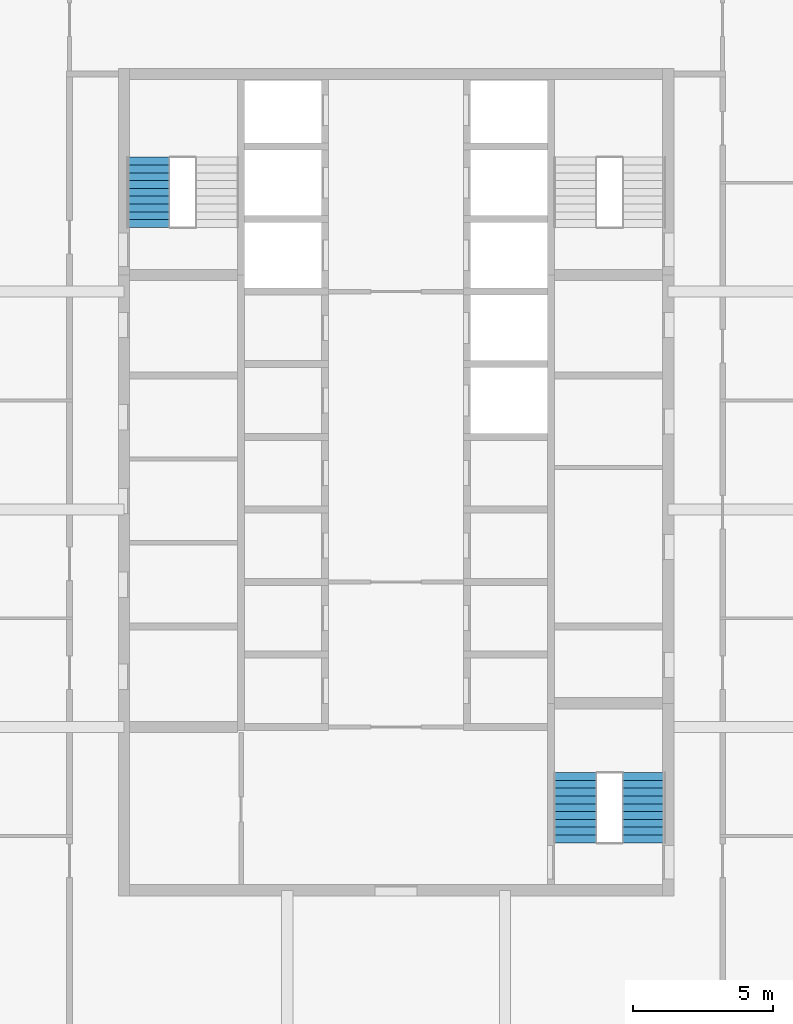
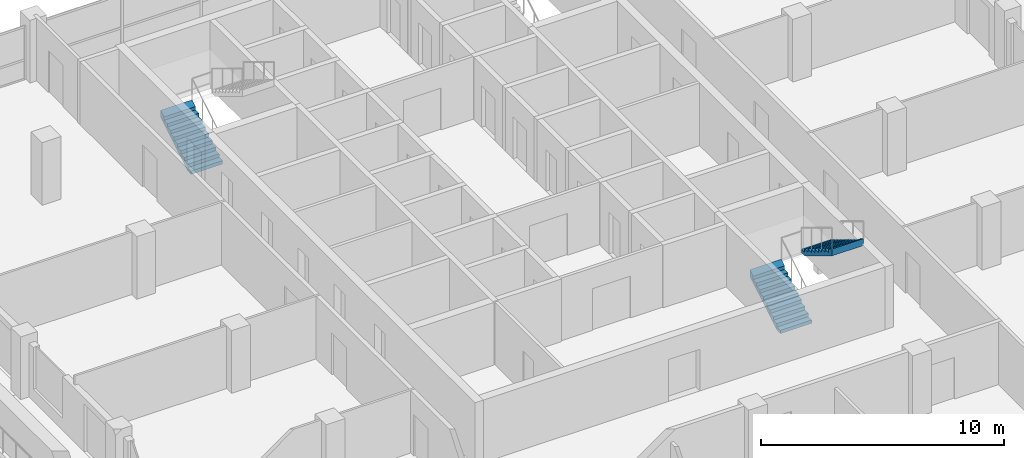
# One storey, part 17 of 22: 3 stair flights, 2 elements without a shape of their own.
"""IFC4 building model written with IfcOpenShell, lengths in metres."""

import ifcopenshell
import ifcopenshell.guid

model = None  # the IFC model being written
_history = None  # IfcOwnerHistory: only IFC2X3 demands one
_inside = {}  # id of a spatial element -> (the spatial element, [elements in it])
_under = {}  # id of a project, library or spatial element -> (it, [spatial elements below it])
_declared = {}  # id of a project -> (the project, [libraries it declares])
_typed = {}  # id of a type object -> (the type object, [elements of that type])
_made_of = {}  # id of a material, layer set ... -> (it, [elements and type objects made of it])


def new_model(schema):
    """Start an empty IFC model of exactly this schema.

    Asked for "IFC4X3", IfcOpenShell would pick the latest addendum, in which some entities
    have other attributes; the version numbers below select the first issue.
    IFC2X3 requires an IfcOwnerHistory on every rooted entity: one is made here for all.
    """
    global model, _history
    if schema == "IFC4X3":
        model = ifcopenshell.file(schema_version=(4, 3, 0, 0))
    else:
        model = ifcopenshell.file(schema=schema)
    _inside.clear()
    _under.clear()
    _declared.clear()
    _typed.clear()
    _made_of.clear()
    _history = None
    if model.schema == "IFC2X3":
        org = make("IfcOrganization", Name="unknown")
        user = make(
            "IfcPersonAndOrganization",
            ThePerson=make("IfcPerson", FamilyName="unknown"),
            TheOrganization=org,
        )
        app = make(
            "IfcApplication",
            ApplicationDeveloper=org,
            Version="unknown",
            ApplicationFullName="unknown",
            ApplicationIdentifier="unknown",
        )
        _history = make(
            "IfcOwnerHistory",
            OwningUser=user,
            OwningApplication=app,
            ChangeAction="ADDED",
            CreationDate=0,
        )
    return model


def make(cls, **values):
    """One entity of the class cls with the attributes given. An attribute that is None is left unset."""
    return model.create_entity(
        cls, **{name: value for name, value in values.items() if value is not None}
    )


def rooted(cls, **values):
    """An entity with a GlobalId (a new one), such as an element, a storey or a relation."""
    return make(cls, GlobalId=ifcopenshell.guid.new(), OwnerHistory=_history, **values)


def si_unit(unit_type, name, prefix=None):
    """IfcSIUnit, for example si_unit("LENGTHUNIT", "METRE", prefix="MILLI")."""
    return make("IfcSIUnit", UnitType=unit_type, Prefix=prefix, Name=name)


def assignment(units):
    """IfcUnitAssignment: the units of a project."""
    return None if units is None else make("IfcUnitAssignment", Units=units)


def point(xyz):
    """IfcCartesianPoint."""
    return None if xyz is None else make("IfcCartesianPoint", Coordinates=xyz)


def direction(xyz):
    """IfcDirection."""
    return None if xyz is None else make("IfcDirection", DirectionRatios=xyz)


def frame(location, z_axis=None, x_axis=None):
    """IfcAxis2Placement3D, a coordinate frame: its origin and axes. An axis left out is left unset."""
    return make(
        "IfcAxis2Placement3D",
        Location=point(location),
        Axis=direction(z_axis),
        RefDirection=direction(x_axis),
    )


def origin():
    """The frame at (0, 0, 0) with its axes left unset."""
    return frame((0.0, 0.0, 0.0))


def place(relative_to, where):
    """IfcLocalPlacement: puts the frame where relative to a parent placement (None: the world)."""
    return make(
        "IfcLocalPlacement", PlacementRelTo=relative_to, RelativePlacement=where
    )


def context(
    kind, dimensions, precision=None, world=None, true_north=None, identifier=None
):
    """IfcGeometricRepresentationContext, for example the 3D "Model" context."""
    return make(
        "IfcGeometricRepresentationContext",
        ContextIdentifier=identifier,
        ContextType=kind,
        CoordinateSpaceDimension=dimensions,
        Precision=precision,
        WorldCoordinateSystem=world,
        TrueNorth=true_north,
    )


def subcontext(parent, identifier, kind, view, scale=None):
    """IfcGeometricRepresentationSubContext, for example "Body" below "Model"."""
    return make(
        "IfcGeometricRepresentationSubContext",
        ContextIdentifier=identifier,
        ContextType=kind,
        ParentContext=parent,
        TargetScale=scale,
        TargetView=view,
    )


def project(units=None, contexts=None):
    """IfcProject with its units and contexts."""
    return rooted(
        "IfcProject",
        Name="project",
        RepresentationContexts=contexts,
        UnitsInContext=assignment(units),
    )


def spatial(cls, under=None, at=None, **own):
    """A site, building, storey or space (cls), placed at a placement, below another one or the project."""
    s = rooted(cls, ObjectPlacement=at, **own)
    if under is not None:
        _under.setdefault(under.id(), (under, []))[1].append(s)
    return s


def point_list(points):
    """IfcCartesianPointList2D or 3D."""
    cls = (
        "IfcCartesianPointList2D" if len(points[0]) == 2 else "IfcCartesianPointList3D"
    )
    return make(cls, CoordList=points)


def triangles(points, corners, closed=None, point_numbers=None):
    """IfcTriangulatedFaceSet: each triangle names its three corners, points numbered from 1."""
    return make(
        "IfcTriangulatedFaceSet",
        Coordinates=point_list(points),
        Closed=closed,
        CoordIndex=corners,
        PnIndex=point_numbers,
    )


def shape(context_of_items, identifier, shape_type, items):
    """IfcShapeRepresentation: the items that make up one representation, for example the "Body"."""
    return make(
        "IfcShapeRepresentation",
        ContextOfItems=context_of_items,
        RepresentationIdentifier=identifier,
        RepresentationType=shape_type,
        Items=items,
    )


def material(Name=None, Category=None):
    """IfcMaterial."""
    return make("IfcMaterial", Name=Name, Category=Category)


def made_of(thing, what):
    """Note that an element or type object is made of a material, layer set ...; save() writes the relation."""
    if what is not None:
        _made_of.setdefault(what.id(), (what, []))[1].append(thing)
    return thing


def type_object(cls, material=None, **own):
    """A type object (cls), such as IfcWallType, which elements share."""
    return made_of(rooted(cls, **own), material)


def element(
    cls,
    number,
    at=None,
    inside=None,
    cuts=None,
    type_object=None,
    material=None,
    context=None,
    identifier="Body",
    shape_type=None,
    held_by="IfcProductDefinitionShape",
    body=None,
    shapes=None,
    **own,
):
    """One element of the class cls, such as IfcWall. Its Tag is "e" and its number.

    at: its placement. inside: the storey or other place that contains it. cuts: it is an
    opening in that element (IfcRelVoidsElement). A single representation is given by context,
    identifier, shape_type and body (its items); several are given by shapes. held_by: the class
    of the entity that holds the representations. save() writes the other relations.
    """
    e = rooted(cls, Tag="e%d" % number, ObjectPlacement=at, **own)
    if body is not None:
        shapes = [shape(context, identifier, shape_type, body)]
    if shapes is not None:
        e.Representation = make(held_by, Representations=shapes)
    if inside is not None:
        _inside.setdefault(inside.id(), (inside, []))[1].append(e)
    if cuts is not None:
        rooted(
            "IfcRelVoidsElement", RelatingBuildingElement=cuts, RelatedOpeningElement=e
        )
    if type_object is not None:
        _typed.setdefault(type_object.id(), (type_object, []))[1].append(e)
    return made_of(e, material)


def aggregate(whole, parts):
    """IfcRelAggregates: a whole, such as a stair, and the parts it consists of."""
    return rooted("IfcRelAggregates", RelatingObject=whole, RelatedObjects=parts)


def save(model, path):
    """Write the relations noted so far, then the file.

    IfcRelAggregates (storeys below a building ...), IfcRelContainedInSpatialStructure (elements
    in a storey), IfcRelDefinesByType, IfcRelAssociatesMaterial and IfcRelDeclares: one each for
    every whole, place, type object, material and project.
    """
    for whole, parts in _under.values():
        aggregate(whole, parts)
    for where, things in _inside.values():
        rooted(
            "IfcRelContainedInSpatialStructure",
            RelatedElements=things,
            RelatingStructure=where,
        )
    for kind, things in _typed.values():
        rooted("IfcRelDefinesByType", RelatedObjects=things, RelatingType=kind)
    for what, things in _made_of.values():
        rooted("IfcRelAssociatesMaterial", RelatedObjects=things, RelatingMaterial=what)
    for by, libraries in _declared.values():
        rooted("IfcRelDeclares", RelatingContext=by, RelatedDefinitions=libraries)
    model.write(path)


model = new_model("IFC4")

# Units and contexts
model_context = context("Model", 3, precision=1e-05, world=origin(), true_north=direction((0.0, 1.0)))
body_context = subcontext(model_context, "Body", "Model", "MODEL_VIEW")
ifc_project = project(units=[si_unit("LENGTHUNIT", "METRE"), si_unit("AREAUNIT", "SQUARE_METRE"), si_unit("VOLUMEUNIT", "CUBIC_METRE"), si_unit("PLANEANGLEUNIT", "RADIAN"), si_unit("MASSUNIT", "GRAM", prefix="KILO")], contexts=[model_context])

# Site, building, storey
site_placement = place(None, origin())
site = spatial("IfcSite", under=ifc_project, at=site_placement, CompositionType="ELEMENT")
building_placement = place(site_placement, origin())
building = spatial("IfcBuilding", under=site, at=building_placement, Name="Ludao Terraces", CompositionType="ELEMENT")
storey_placement = place(building_placement, frame((0.0, 0.0, 200.699951171875)))
storey = spatial("IfcBuildingStorey", under=building, at=storey_placement, Name="L54", CompositionType="ELEMENT", Elevation=200.699951171875)

# Stair, stair flight
ifc_material = material(Name="Concrete C40", Category="concrete")
stair_type = type_object("IfcStairType", Name="INT Stair", PredefinedType="HALF_TURN_STAIR", material=ifc_material)
stair_1_placement = place(storey_placement, origin())
stair_1 = element("IfcStair", 1, at=stair_1_placement, inside=storey, type_object=stair_type, Name="EXIT STAIR 1", PredefinedType="HALF_TURN_STAIR")
stair_flight_type = type_object("IfcStairFlightType", Name="INT Stair flight", PredefinedType="STRAIGHT", material=ifc_material)
stair_flight_1_placement = place(storey_placement, frame((76.125, 79.0, 0.0), z_axis=(0.0, 0.0, 1.0), x_axis=(0.0, 1.0, 0.0)))
stair_flight_1 = element("IfcStairFlight", 2, at=stair_flight_1_placement, type_object=stair_flight_type, Name="ST1 flight 1", NumberOfRisers=10, NumberOfTreads=9, PredefinedType="STRAIGHT", RiserHeight=0.17, TreadLength=0.28, context=body_context, shape_type="Tessellation", body=[
    triangles([(0.0, -0.75, 0.0), (0.0, -0.5, 0.0), (0.0, -0.25, 0.0), (0.0, 0.0, 0.0), (0.0, 0.25, 0.0), (0.0, 0.5, 0.0), (0.0, 0.75, 0.0), (0.0, -0.75, 0.169921875), (0.0, -0.5, 0.169921875), (0.0, -0.25, 0.169921875), (0.0, 0.0, 0.169921875), (0.0, 0.25, 0.169921875), (0.0, 0.5, 0.169921875), (0.0, 0.75, 0.169921875), (0.280029296875, -0.75, 0.169921875), (0.280029296875, -0.5, 0.169921875), (0.280029296875, -0.25, 0.169921875), (0.280029296875, 0.0, 0.169921875), (0.280029296875, 0.25, 0.169921875), (0.280029296875, 0.5, 0.169921875), (0.280029296875, 0.75, 0.169921875), (0.280029296875, -0.75, 0.340087890625), (0.280029296875, -0.5, 0.340087890625), (0.280029296875, -0.25, 0.340087890625), (0.280029296875, 0.0, 0.340087890625), (0.280029296875, 0.25, 0.340087890625), (0.280029296875, 0.5, 0.340087890625), (0.280029296875, 0.75, 0.340087890625), (0.56005859375, -0.75, 0.340087890625), (0.56005859375, -0.5, 0.340087890625), (0.56005859375, -0.25, 0.340087890625), (0.56005859375, 0.0, 0.340087890625), (0.56005859375, 0.25, 0.340087890625), (0.56005859375, 0.5, 0.340087890625), (0.56005859375, 0.75, 0.340087890625), (0.56005859375, -0.75, 0.510009765625), (0.56005859375, -0.5, 0.510009765625), (0.56005859375, -0.25, 0.510009765625), (0.56005859375, 0.0, 0.510009765625), (0.56005859375, 0.25, 0.510009765625), (0.56005859375, 0.5, 0.510009765625), (0.56005859375, 0.75, 0.510009765625), (0.840087890625, -0.75, 0.510009765625), (0.840087890625, -0.5, 0.510009765625), (0.840087890625, -0.25, 0.510009765625), (0.840087890625, 0.0, 0.510009765625), (0.840087890625, 0.25, 0.510009765625), (0.840087890625, 0.5, 0.510009765625), (0.840087890625, 0.75, 0.510009765625), (0.840087890625, -0.75, 0.679931640625), (0.840087890625, -0.5, 0.679931640625), (0.840087890625, -0.25, 0.679931640625), (0.840087890625, 0.0, 0.679931640625), (0.840087890625, 0.25, 0.679931640625), (0.840087890625, 0.5, 0.679931640625), (0.840087890625, 0.75, 0.679931640625), (1.1201171875, -0.75, 0.679931640625), (1.1201171875, -0.5, 0.679931640625), (1.1201171875, -0.25, 0.679931640625), (1.1201171875, 0.0, 0.679931640625), (1.1201171875, 0.25, 0.679931640625), (1.1201171875, 0.5, 0.679931640625), (1.1201171875, 0.75, 0.679931640625), (1.1201171875, -0.75, 0.85009765625), (1.1201171875, -0.5, 0.85009765625), (1.1201171875, -0.25, 0.85009765625), (1.1201171875, 0.0, 0.85009765625), (1.1201171875, 0.25, 0.85009765625), (1.1201171875, 0.5, 0.85009765625), (1.1201171875, 0.75, 0.85009765625), (1.39990234375, -0.75, 0.85009765625), (1.39990234375, -0.5, 0.85009765625), (1.39990234375, -0.25, 0.85009765625), (1.39990234375, 0.0, 0.85009765625), (1.39990234375, 0.25, 0.85009765625), (1.39990234375, 0.5, 0.85009765625), (1.39990234375, 0.75, 0.85009765625), (1.39990234375, -0.75, 1.02001953125), (1.39990234375, -0.5, 1.02001953125), (1.39990234375, -0.25, 1.02001953125), (1.39990234375, 0.0, 1.02001953125), (1.39990234375, 0.25, 1.02001953125), (1.39990234375, 0.5, 1.02001953125), (1.39990234375, 0.75, 1.02001953125), (1.679931640625, -0.75, 1.02001953125), (1.679931640625, -0.5, 1.02001953125), (1.679931640625, -0.25, 1.02001953125), (1.679931640625, 0.0, 1.02001953125), (1.679931640625, 0.25, 1.02001953125), (1.679931640625, 0.5, 1.02001953125), (1.679931640625, 0.75, 1.02001953125), (1.679931640625, -0.75, 1.18994140625), (1.679931640625, -0.5, 1.18994140625), (1.679931640625, -0.25, 1.18994140625), (1.679931640625, 0.0, 1.18994140625), (1.679931640625, 0.25, 1.18994140625), (1.679931640625, 0.5, 1.18994140625), (1.679931640625, 0.75, 1.18994140625), (1.9599609375, -0.75, 1.18994140625), (1.9599609375, -0.5, 1.18994140625), (1.9599609375, -0.25, 1.18994140625), (1.9599609375, 0.0, 1.18994140625), (1.9599609375, 0.25, 1.18994140625), (1.9599609375, 0.5, 1.18994140625), (1.9599609375, 0.75, 1.18994140625), (1.9599609375, -0.75, 1.360107421875), (1.9599609375, -0.5, 1.360107421875), (1.9599609375, -0.25, 1.360107421875), (1.9599609375, 0.0, 1.360107421875), (1.9599609375, 0.25, 1.360107421875), (1.9599609375, 0.5, 1.360107421875), (1.9599609375, 0.75, 1.360107421875), (2.239990234375, -0.75, 1.360107421875), (2.239990234375, -0.5, 1.360107421875), (2.239990234375, -0.25, 1.360107421875), (2.239990234375, 0.0, 1.360107421875), (2.239990234375, 0.25, 1.360107421875), (2.239990234375, 0.5, 1.360107421875), (2.239990234375, 0.75, 1.360107421875), (2.239990234375, -0.75, 1.530029296875), (2.239990234375, -0.5, 1.530029296875), (2.239990234375, -0.25, 1.530029296875), (2.239990234375, 0.0, 1.530029296875), (2.239990234375, 0.25, 1.530029296875), (2.239990234375, 0.5, 1.530029296875), (2.239990234375, 0.75, 1.530029296875), (2.52001953125, -0.75, 1.699951171875), (2.52001953125, -0.5, 1.699951171875), (2.52001953125, -0.25, 1.699951171875), (2.52001953125, 0.0, 1.699951171875), (2.52001953125, 0.25, 1.699951171875), (2.52001953125, 0.5, 1.699951171875), (2.52001953125, 0.75, 1.699951171875), (2.52001953125, -0.75, 1.354736328125), (2.52001953125, -0.5, 1.354736328125), (2.52001953125, -0.25, 1.354736328125), (2.52001953125, 0.0, 1.354736328125), (2.52001953125, 0.25, 1.354736328125), (2.52001953125, 0.5, 1.354736328125), (2.52001953125, 0.75, 1.354736328125), (0.288818359375, -0.75, 0.0), (0.288818359375, -0.5, 0.0), (0.288818359375, -0.25, 0.0), (0.288818359375, 0.0, 0.0), (0.288818359375, 0.25, 0.0), (0.288818359375, 0.5, 0.0), (0.288818359375, 0.75, 0.0)], [[1, 141, 134], [7, 140, 147], [134, 127, 120], [140, 126, 133], [134, 120, 113], [140, 119, 126], [134, 113, 106], [140, 112, 119], [134, 106, 99], [140, 105, 112], [99, 92, 85], [105, 91, 98], [134, 99, 85], [140, 91, 105], [85, 78, 71], [91, 77, 84], [134, 85, 71], [140, 77, 91], [71, 64, 57], [77, 63, 70], [134, 71, 57], [140, 63, 77], [57, 50, 43], [63, 49, 56], [134, 57, 43], [140, 49, 63], [43, 36, 29], [49, 35, 42], [134, 43, 29], [140, 35, 49], [29, 22, 15], [35, 21, 28], [134, 29, 15], [140, 21, 35], [1, 134, 15], [7, 21, 140], [15, 8, 1], [21, 7, 14], [1, 9, 2], [1, 8, 9], [2, 10, 3], [2, 9, 10], [3, 11, 4], [3, 10, 11], [4, 12, 5], [4, 11, 12], [5, 13, 6], [5, 12, 13], [6, 14, 7], [6, 13, 14], [8, 16, 9], [8, 15, 16], [9, 17, 10], [9, 16, 17], [10, 18, 11], [10, 17, 18], [11, 19, 12], [11, 18, 19], [12, 20, 13], [12, 19, 20], [13, 21, 14], [13, 20, 21], [15, 23, 16], [15, 22, 23], [16, 24, 17], [16, 23, 24], [17, 25, 18], [17, 24, 25], [18, 26, 19], [18, 25, 26], [19, 27, 20], [19, 26, 27], [20, 28, 21], [20, 27, 28], [22, 30, 23], [22, 29, 30], [23, 31, 24], [23, 30, 31], [24, 32, 25], [24, 31, 32], [25, 33, 26], [25, 32, 33], [26, 34, 27], [26, 33, 34], [27, 35, 28], [27, 34, 35], [29, 37, 30], [29, 36, 37], [30, 38, 31], [30, 37, 38], [31, 39, 32], [31, 38, 39], [32, 40, 33], [32, 39, 40], [33, 41, 34], [33, 40, 41], [34, 42, 35], [34, 41, 42], [36, 44, 37], [36, 43, 44], [37, 45, 38], [37, 44, 45], [38, 46, 39], [38, 45, 46], [39, 47, 40], [39, 46, 47], [40, 48, 41], [40, 47, 48], [41, 49, 42], [41, 48, 49], [43, 51, 44], [43, 50, 51], [44, 52, 45], [44, 51, 52], [45, 53, 46], [45, 52, 53], [46, 54, 47], [46, 53, 54], [47, 55, 48], [47, 54, 55], [48, 56, 49], [48, 55, 56], [50, 58, 51], [50, 57, 58], [51, 59, 52], [51, 58, 59], [52, 60, 53], [52, 59, 60], [53, 61, 54], [53, 60, 61], [54, 62, 55], [54, 61, 62], [55, 63, 56], [55, 62, 63], [57, 65, 58], [57, 64, 65], [58, 66, 59], [58, 65, 66], [59, 67, 60], [59, 66, 67], [60, 68, 61], [60, 67, 68], [61, 69, 62], [61, 68, 69], [62, 70, 63], [62, 69, 70], [64, 72, 65], [64, 71, 72], [65, 73, 66], [65, 72, 73], [66, 74, 67], [66, 73, 74], [67, 75, 68], [67, 74, 75], [68, 76, 69], [68, 75, 76], [69, 77, 70], [69, 76, 77], [71, 79, 72], [71, 78, 79], [72, 80, 73], [72, 79, 80], [73, 81, 74], [73, 80, 81], [74, 82, 75], [74, 81, 82], [75, 83, 76], [75, 82, 83], [76, 84, 77], [76, 83, 84], [78, 86, 79], [78, 85, 86], [79, 87, 80], [79, 86, 87], [80, 88, 81], [80, 87, 88], [81, 89, 82], [81, 88, 89], [82, 90, 83], [82, 89, 90], [83, 91, 84], [83, 90, 91], [85, 93, 86], [85, 92, 93], [86, 94, 87], [86, 93, 94], [87, 95, 88], [87, 94, 95], [88, 96, 89], [88, 95, 96], [89, 97, 90], [89, 96, 97], [90, 98, 91], [90, 97, 98], [92, 100, 93], [92, 99, 100], [93, 101, 94], [93, 100, 101], [94, 102, 95], [94, 101, 102], [95, 103, 96], [95, 102, 103], [96, 104, 97], [96, 103, 104], [97, 105, 98], [97, 104, 105], [99, 107, 100], [99, 106, 107], [100, 108, 101], [100, 107, 108], [101, 109, 102], [101, 108, 109], [102, 110, 103], [102, 109, 110], [103, 111, 104], [103, 110, 111], [104, 112, 105], [104, 111, 112], [106, 114, 107], [106, 113, 114], [107, 115, 108], [107, 114, 115], [108, 116, 109], [108, 115, 116], [109, 117, 110], [109, 116, 117], [110, 118, 111], [110, 117, 118], [111, 119, 112], [111, 118, 119], [113, 121, 114], [113, 120, 121], [114, 122, 115], [114, 121, 122], [115, 123, 116], [115, 122, 123], [116, 124, 117], [116, 123, 124], [117, 125, 118], [117, 124, 125], [118, 126, 119], [118, 125, 126], [120, 128, 121], [120, 127, 128], [121, 129, 122], [121, 128, 129], [122, 130, 123], [122, 129, 130], [123, 131, 124], [123, 130, 131], [124, 132, 125], [124, 131, 132], [125, 133, 126], [125, 132, 133], [127, 135, 128], [127, 134, 135], [128, 136, 129], [128, 135, 136], [129, 137, 130], [129, 136, 137], [130, 138, 131], [130, 137, 138], [131, 139, 132], [131, 138, 139], [132, 140, 133], [132, 139, 140], [134, 142, 135], [134, 141, 142], [135, 143, 136], [135, 142, 143], [136, 144, 137], [136, 143, 144], [137, 145, 138], [137, 144, 145], [138, 146, 139], [138, 145, 146], [139, 147, 140], [139, 146, 147], [141, 2, 142], [141, 1, 2], [142, 3, 143], [142, 2, 3], [143, 4, 144], [143, 3, 4], [144, 5, 145], [144, 4, 5], [145, 6, 146], [145, 5, 6], [146, 7, 147], [146, 6, 7]], closed=True),
])
aggregate(stair_1, [stair_flight_1])

# Stair, stair flights
stair_2_placement = place(storey_placement, origin())
stair_2 = element("IfcStair", 3, at=stair_2_placement, inside=storey, type_object=stair_type, Name="EXIT STAIR 3", PredefinedType="HALF_TURN_STAIR")
stair_flight_2_placement = place(storey_placement, frame((91.425048828125, 56.949951171875, 0.0), z_axis=(0.0, 0.0, 1.0), x_axis=(0.0, 1.0, 0.0)))
stair_flight_2 = element("IfcStairFlight", 4, at=stair_flight_2_placement, type_object=stair_flight_type, Name="ST3 flight 1", NumberOfRisers=10, NumberOfTreads=9, PredefinedType="STRAIGHT", RiserHeight=0.17, TreadLength=0.28, context=body_context, shape_type="Tessellation", body=[
    triangles([(0.0, -0.75, 0.0), (0.0, -0.5, 0.0), (0.0, -0.25, 0.0), (0.0, 0.0, 0.0), (0.0, 0.25, 0.0), (0.0, 0.5, 0.0), (0.0, 0.75, 0.0), (0.0, -0.75, 0.169921875), (0.0, -0.5, 0.169921875), (0.0, -0.25, 0.169921875), (0.0, 0.0, 0.169921875), (0.0, 0.25, 0.169921875), (0.0, 0.5, 0.169921875), (0.0, 0.75, 0.169921875), (0.280029296875, -0.75, 0.169921875), (0.280029296875, -0.5, 0.169921875), (0.280029296875, -0.25, 0.169921875), (0.280029296875, 0.0, 0.169921875), (0.280029296875, 0.25, 0.169921875), (0.280029296875, 0.5, 0.169921875), (0.280029296875, 0.75, 0.169921875), (0.280029296875, -0.75, 0.340087890625), (0.280029296875, -0.5, 0.340087890625), (0.280029296875, -0.25, 0.340087890625), (0.280029296875, 0.0, 0.340087890625), (0.280029296875, 0.25, 0.340087890625), (0.280029296875, 0.5, 0.340087890625), (0.280029296875, 0.75, 0.340087890625), (0.56005859375, -0.75, 0.340087890625), (0.56005859375, -0.5, 0.340087890625), (0.56005859375, -0.25, 0.340087890625), (0.56005859375, 0.0, 0.340087890625), (0.56005859375, 0.25, 0.340087890625), (0.56005859375, 0.5, 0.340087890625), (0.56005859375, 0.75, 0.340087890625), (0.56005859375, -0.75, 0.510009765625), (0.56005859375, -0.5, 0.510009765625), (0.56005859375, -0.25, 0.510009765625), (0.56005859375, 0.0, 0.510009765625), (0.56005859375, 0.25, 0.510009765625), (0.56005859375, 0.5, 0.510009765625), (0.56005859375, 0.75, 0.510009765625), (0.840087890625, -0.75, 0.510009765625), (0.840087890625, -0.5, 0.510009765625), (0.840087890625, -0.25, 0.510009765625), (0.840087890625, 0.0, 0.510009765625), (0.840087890625, 0.25, 0.510009765625), (0.840087890625, 0.5, 0.510009765625), (0.840087890625, 0.75, 0.510009765625), (0.840087890625, -0.75, 0.679931640625), (0.840087890625, -0.5, 0.679931640625), (0.840087890625, -0.25, 0.679931640625), (0.840087890625, 0.0, 0.679931640625), (0.840087890625, 0.25, 0.679931640625), (0.840087890625, 0.5, 0.679931640625), (0.840087890625, 0.75, 0.679931640625), (1.1201171875, -0.75, 0.679931640625), (1.1201171875, -0.5, 0.679931640625), (1.1201171875, -0.25, 0.679931640625), (1.1201171875, 0.0, 0.679931640625), (1.1201171875, 0.25, 0.679931640625), (1.1201171875, 0.5, 0.679931640625), (1.1201171875, 0.75, 0.679931640625), (1.1201171875, -0.75, 0.85009765625), (1.1201171875, -0.5, 0.85009765625), (1.1201171875, -0.25, 0.85009765625), (1.1201171875, 0.0, 0.85009765625), (1.1201171875, 0.25, 0.85009765625), (1.1201171875, 0.5, 0.85009765625), (1.1201171875, 0.75, 0.85009765625), (1.39990234375, -0.75, 0.85009765625), (1.39990234375, -0.5, 0.85009765625), (1.39990234375, -0.25, 0.85009765625), (1.39990234375, 0.0, 0.85009765625), (1.39990234375, 0.25, 0.85009765625), (1.39990234375, 0.5, 0.85009765625), (1.39990234375, 0.75, 0.85009765625), (1.39990234375, -0.75, 1.02001953125), (1.39990234375, -0.5, 1.02001953125), (1.39990234375, -0.25, 1.02001953125), (1.39990234375, 0.0, 1.02001953125), (1.39990234375, 0.25, 1.02001953125), (1.39990234375, 0.5, 1.02001953125), (1.39990234375, 0.75, 1.02001953125), (1.679931640625, -0.75, 1.02001953125), (1.679931640625, -0.5, 1.02001953125), (1.679931640625, -0.25, 1.02001953125), (1.679931640625, 0.0, 1.02001953125), (1.679931640625, 0.25, 1.02001953125), (1.679931640625, 0.5, 1.02001953125), (1.679931640625, 0.75, 1.02001953125), (1.679931640625, -0.75, 1.18994140625), (1.679931640625, -0.5, 1.18994140625), (1.679931640625, -0.25, 1.18994140625), (1.679931640625, 0.0, 1.18994140625), (1.679931640625, 0.25, 1.18994140625), (1.679931640625, 0.5, 1.18994140625), (1.679931640625, 0.75, 1.18994140625), (1.9599609375, -0.75, 1.18994140625), (1.9599609375, -0.5, 1.18994140625), (1.9599609375, -0.25, 1.18994140625), (1.9599609375, 0.0, 1.18994140625), (1.9599609375, 0.25, 1.18994140625), (1.9599609375, 0.5, 1.18994140625), (1.9599609375, 0.75, 1.18994140625), (1.9599609375, -0.75, 1.360107421875), (1.9599609375, -0.5, 1.360107421875), (1.9599609375, -0.25, 1.360107421875), (1.9599609375, 0.0, 1.360107421875), (1.9599609375, 0.25, 1.360107421875), (1.9599609375, 0.5, 1.360107421875), (1.9599609375, 0.75, 1.360107421875), (2.239990234375, -0.75, 1.360107421875), (2.239990234375, -0.5, 1.360107421875), (2.239990234375, -0.25, 1.360107421875), (2.239990234375, 0.0, 1.360107421875), (2.239990234375, 0.25, 1.360107421875), (2.239990234375, 0.5, 1.360107421875), (2.239990234375, 0.75, 1.360107421875), (2.239990234375, -0.75, 1.530029296875), (2.239990234375, -0.5, 1.530029296875), (2.239990234375, -0.25, 1.530029296875), (2.239990234375, 0.0, 1.530029296875), (2.239990234375, 0.25, 1.530029296875), (2.239990234375, 0.5, 1.530029296875), (2.239990234375, 0.75, 1.530029296875), (2.52001953125, -0.75, 1.699951171875), (2.52001953125, -0.5, 1.699951171875), (2.52001953125, -0.25, 1.699951171875), (2.52001953125, 0.0, 1.699951171875), (2.52001953125, 0.25, 1.699951171875), (2.52001953125, 0.5, 1.699951171875), (2.52001953125, 0.75, 1.699951171875), (2.52001953125, -0.75, 1.354736328125), (2.52001953125, -0.5, 1.354736328125), (2.52001953125, -0.25, 1.354736328125), (2.52001953125, 0.0, 1.354736328125), (2.52001953125, 0.25, 1.354736328125), (2.52001953125, 0.5, 1.354736328125), (2.52001953125, 0.75, 1.354736328125), (0.288818359375, -0.75, 0.0), (0.288818359375, -0.5, 0.0), (0.288818359375, -0.25, 0.0), (0.288818359375, 0.0, 0.0), (0.288818359375, 0.25, 0.0), (0.288818359375, 0.5, 0.0), (0.288818359375, 0.75, 0.0)], [[1, 141, 134], [7, 140, 147], [134, 127, 120], [140, 126, 133], [134, 120, 113], [140, 119, 126], [134, 113, 106], [140, 112, 119], [134, 106, 99], [140, 105, 112], [99, 92, 85], [105, 91, 98], [134, 99, 85], [140, 91, 105], [85, 78, 71], [91, 77, 84], [134, 85, 71], [140, 77, 91], [71, 64, 57], [77, 63, 70], [134, 71, 57], [140, 63, 77], [57, 50, 43], [63, 49, 56], [134, 57, 43], [140, 49, 63], [43, 36, 29], [49, 35, 42], [134, 43, 29], [140, 35, 49], [29, 22, 15], [35, 21, 28], [134, 29, 15], [140, 21, 35], [1, 134, 15], [7, 21, 140], [15, 8, 1], [21, 7, 14], [1, 9, 2], [1, 8, 9], [2, 10, 3], [2, 9, 10], [3, 11, 4], [3, 10, 11], [4, 12, 5], [4, 11, 12], [5, 13, 6], [5, 12, 13], [6, 14, 7], [6, 13, 14], [8, 16, 9], [8, 15, 16], [9, 17, 10], [9, 16, 17], [10, 18, 11], [10, 17, 18], [11, 19, 12], [11, 18, 19], [12, 20, 13], [12, 19, 20], [13, 21, 14], [13, 20, 21], [15, 23, 16], [15, 22, 23], [16, 24, 17], [16, 23, 24], [17, 25, 18], [17, 24, 25], [18, 26, 19], [18, 25, 26], [19, 27, 20], [19, 26, 27], [20, 28, 21], [20, 27, 28], [22, 30, 23], [22, 29, 30], [23, 31, 24], [23, 30, 31], [24, 32, 25], [24, 31, 32], [25, 33, 26], [25, 32, 33], [26, 34, 27], [26, 33, 34], [27, 35, 28], [27, 34, 35], [29, 37, 30], [29, 36, 37], [30, 38, 31], [30, 37, 38], [31, 39, 32], [31, 38, 39], [32, 40, 33], [32, 39, 40], [33, 41, 34], [33, 40, 41], [34, 42, 35], [34, 41, 42], [36, 44, 37], [36, 43, 44], [37, 45, 38], [37, 44, 45], [38, 46, 39], [38, 45, 46], [39, 47, 40], [39, 46, 47], [40, 48, 41], [40, 47, 48], [41, 49, 42], [41, 48, 49], [43, 51, 44], [43, 50, 51], [44, 52, 45], [44, 51, 52], [45, 53, 46], [45, 52, 53], [46, 54, 47], [46, 53, 54], [47, 55, 48], [47, 54, 55], [48, 56, 49], [48, 55, 56], [50, 58, 51], [50, 57, 58], [51, 59, 52], [51, 58, 59], [52, 60, 53], [52, 59, 60], [53, 61, 54], [53, 60, 61], [54, 62, 55], [54, 61, 62], [55, 63, 56], [55, 62, 63], [57, 65, 58], [57, 64, 65], [58, 66, 59], [58, 65, 66], [59, 67, 60], [59, 66, 67], [60, 68, 61], [60, 67, 68], [61, 69, 62], [61, 68, 69], [62, 70, 63], [62, 69, 70], [64, 72, 65], [64, 71, 72], [65, 73, 66], [65, 72, 73], [66, 74, 67], [66, 73, 74], [67, 75, 68], [67, 74, 75], [68, 76, 69], [68, 75, 76], [69, 77, 70], [69, 76, 77], [71, 79, 72], [71, 78, 79], [72, 80, 73], [72, 79, 80], [73, 81, 74], [73, 80, 81], [74, 82, 75], [74, 81, 82], [75, 83, 76], [75, 82, 83], [76, 84, 77], [76, 83, 84], [78, 86, 79], [78, 85, 86], [79, 87, 80], [79, 86, 87], [80, 88, 81], [80, 87, 88], [81, 89, 82], [81, 88, 89], [82, 90, 83], [82, 89, 90], [83, 91, 84], [83, 90, 91], [85, 93, 86], [85, 92, 93], [86, 94, 87], [86, 93, 94], [87, 95, 88], [87, 94, 95], [88, 96, 89], [88, 95, 96], [89, 97, 90], [89, 96, 97], [90, 98, 91], [90, 97, 98], [92, 100, 93], [92, 99, 100], [93, 101, 94], [93, 100, 101], [94, 102, 95], [94, 101, 102], [95, 103, 96], [95, 102, 103], [96, 104, 97], [96, 103, 104], [97, 105, 98], [97, 104, 105], [99, 107, 100], [99, 106, 107], [100, 108, 101], [100, 107, 108], [101, 109, 102], [101, 108, 109], [102, 110, 103], [102, 109, 110], [103, 111, 104], [103, 110, 111], [104, 112, 105], [104, 111, 112], [106, 114, 107], [106, 113, 114], [107, 115, 108], [107, 114, 115], [108, 116, 109], [108, 115, 116], [109, 117, 110], [109, 116, 117], [110, 118, 111], [110, 117, 118], [111, 119, 112], [111, 118, 119], [113, 121, 114], [113, 120, 121], [114, 122, 115], [114, 121, 122], [115, 123, 116], [115, 122, 123], [116, 124, 117], [116, 123, 124], [117, 125, 118], [117, 124, 125], [118, 126, 119], [118, 125, 126], [120, 128, 121], [120, 127, 128], [121, 129, 122], [121, 128, 129], [122, 130, 123], [122, 129, 130], [123, 131, 124], [123, 130, 131], [124, 132, 125], [124, 131, 132], [125, 133, 126], [125, 132, 133], [127, 135, 128], [127, 134, 135], [128, 136, 129], [128, 135, 136], [129, 137, 130], [129, 136, 137], [130, 138, 131], [130, 137, 138], [131, 139, 132], [131, 138, 139], [132, 140, 133], [132, 139, 140], [134, 142, 135], [134, 141, 142], [135, 143, 136], [135, 142, 143], [136, 144, 137], [136, 143, 144], [137, 145, 138], [137, 144, 145], [138, 146, 139], [138, 145, 146], [139, 147, 140], [139, 146, 147], [141, 2, 142], [141, 1, 2], [142, 3, 143], [142, 2, 3], [143, 4, 144], [143, 3, 4], [144, 5, 145], [144, 4, 5], [145, 6, 146], [145, 5, 6], [146, 7, 147], [146, 6, 7]], closed=True),
])
stair_flight_3_placement = place(storey_placement, frame((93.875, 59.469970703125, 1.699951171875), z_axis=(0.0, 0.0, 1.0), x_axis=(0.0, -1.0, 0.0)))
stair_flight_3 = element("IfcStairFlight", 5, at=stair_flight_3_placement, type_object=stair_flight_type, Name="ST3 flight 2", NumberOfRisers=10, NumberOfTreads=9, PredefinedType="STRAIGHT", RiserHeight=0.17, TreadLength=0.28, context=body_context, shape_type="Tessellation", body=[
    triangles([(0.0, -0.75, 0.0), (0.0, -0.5, 0.0), (0.0, -0.25, 0.0), (0.0, 0.0, 0.0), (0.0, 0.25, 0.0), (0.0, 0.5, 0.0), (0.0, 0.75, 0.0), (0.0, -0.75, 0.169921875), (0.0, -0.5, 0.169921875), (0.0, -0.25, 0.169921875), (0.0, 0.0, 0.169921875), (0.0, 0.25, 0.169921875), (0.0, 0.5, 0.169921875), (0.0, 0.75, 0.169921875), (0.280029296875, -0.75, 0.169921875), (0.280029296875, -0.5, 0.169921875), (0.280029296875, -0.25, 0.169921875), (0.280029296875, 0.0, 0.169921875), (0.280029296875, 0.25, 0.169921875), (0.280029296875, 0.5, 0.169921875), (0.280029296875, 0.75, 0.169921875), (0.280029296875, -0.75, 0.340087890625), (0.280029296875, -0.5, 0.340087890625), (0.280029296875, -0.25, 0.340087890625), (0.280029296875, 0.0, 0.340087890625), (0.280029296875, 0.25, 0.340087890625), (0.280029296875, 0.5, 0.340087890625), (0.280029296875, 0.75, 0.340087890625), (0.56005859375, -0.75, 0.340087890625), (0.56005859375, -0.5, 0.340087890625), (0.56005859375, -0.25, 0.340087890625), (0.56005859375, 0.0, 0.340087890625), (0.56005859375, 0.25, 0.340087890625), (0.56005859375, 0.5, 0.340087890625), (0.56005859375, 0.75, 0.340087890625), (0.56005859375, -0.75, 0.510009765625), (0.56005859375, -0.5, 0.510009765625), (0.56005859375, -0.25, 0.510009765625), (0.56005859375, 0.0, 0.510009765625), (0.56005859375, 0.25, 0.510009765625), (0.56005859375, 0.5, 0.510009765625), (0.56005859375, 0.75, 0.510009765625), (0.840087890625, -0.75, 0.510009765625), (0.840087890625, -0.5, 0.510009765625), (0.840087890625, -0.25, 0.510009765625), (0.840087890625, 0.0, 0.510009765625), (0.840087890625, 0.25, 0.510009765625), (0.840087890625, 0.5, 0.510009765625), (0.840087890625, 0.75, 0.510009765625), (0.840087890625, -0.75, 0.679931640625), (0.840087890625, -0.5, 0.679931640625), (0.840087890625, -0.25, 0.679931640625), (0.840087890625, 0.0, 0.679931640625), (0.840087890625, 0.25, 0.679931640625), (0.840087890625, 0.5, 0.679931640625), (0.840087890625, 0.75, 0.679931640625), (1.1201171875, -0.75, 0.679931640625), (1.1201171875, -0.5, 0.679931640625), (1.1201171875, -0.25, 0.679931640625), (1.1201171875, 0.0, 0.679931640625), (1.1201171875, 0.25, 0.679931640625), (1.1201171875, 0.5, 0.679931640625), (1.1201171875, 0.75, 0.679931640625), (1.1201171875, -0.75, 0.85009765625), (1.1201171875, -0.5, 0.85009765625), (1.1201171875, -0.25, 0.85009765625), (1.1201171875, 0.0, 0.85009765625), (1.1201171875, 0.25, 0.85009765625), (1.1201171875, 0.5, 0.85009765625), (1.1201171875, 0.75, 0.85009765625), (1.39990234375, -0.75, 0.85009765625), (1.39990234375, -0.5, 0.85009765625), (1.39990234375, -0.25, 0.85009765625), (1.39990234375, 0.0, 0.85009765625), (1.39990234375, 0.25, 0.85009765625), (1.39990234375, 0.5, 0.85009765625), (1.39990234375, 0.75, 0.85009765625), (1.39990234375, -0.75, 1.02001953125), (1.39990234375, -0.5, 1.02001953125), (1.39990234375, -0.25, 1.02001953125), (1.39990234375, 0.0, 1.02001953125), (1.39990234375, 0.25, 1.02001953125), (1.39990234375, 0.5, 1.02001953125), (1.39990234375, 0.75, 1.02001953125), (1.679931640625, -0.75, 1.02001953125), (1.679931640625, -0.5, 1.02001953125), (1.679931640625, -0.25, 1.02001953125), (1.679931640625, 0.0, 1.02001953125), (1.679931640625, 0.25, 1.02001953125), (1.679931640625, 0.5, 1.02001953125), (1.679931640625, 0.75, 1.02001953125), (1.679931640625, -0.75, 1.18994140625), (1.679931640625, -0.5, 1.18994140625), (1.679931640625, -0.25, 1.18994140625), (1.679931640625, 0.0, 1.18994140625), (1.679931640625, 0.25, 1.18994140625), (1.679931640625, 0.5, 1.18994140625), (1.679931640625, 0.75, 1.18994140625), (1.9599609375, -0.75, 1.18994140625), (1.9599609375, -0.5, 1.18994140625), (1.9599609375, -0.25, 1.18994140625), (1.9599609375, 0.0, 1.18994140625), (1.9599609375, 0.25, 1.18994140625), (1.9599609375, 0.5, 1.18994140625), (1.9599609375, 0.75, 1.18994140625), (1.9599609375, -0.75, 1.360107421875), (1.9599609375, -0.5, 1.360107421875), (1.9599609375, -0.25, 1.360107421875), (1.9599609375, 0.0, 1.360107421875), (1.9599609375, 0.25, 1.360107421875), (1.9599609375, 0.5, 1.360107421875), (1.9599609375, 0.75, 1.360107421875), (2.239990234375, -0.75, 1.360107421875), (2.239990234375, -0.5, 1.360107421875), (2.239990234375, -0.25, 1.360107421875), (2.239990234375, 0.0, 1.360107421875), (2.239990234375, 0.25, 1.360107421875), (2.239990234375, 0.5, 1.360107421875), (2.239990234375, 0.75, 1.360107421875), (2.239990234375, -0.75, 1.530029296875), (2.239990234375, -0.5, 1.530029296875), (2.239990234375, -0.25, 1.530029296875), (2.239990234375, 0.0, 1.530029296875), (2.239990234375, 0.25, 1.530029296875), (2.239990234375, 0.5, 1.530029296875), (2.239990234375, 0.75, 1.530029296875), (2.52001953125, -0.75, 1.699951171875), (2.52001953125, -0.5, 1.699951171875), (2.52001953125, -0.25, 1.699951171875), (2.52001953125, 0.0, 1.699951171875), (2.52001953125, 0.25, 1.699951171875), (2.52001953125, 0.5, 1.699951171875), (2.52001953125, 0.75, 1.699951171875), (2.52001953125, -0.75, 1.354736328125), (2.52001953125, -0.5, 1.354736328125), (2.52001953125, -0.25, 1.354736328125), (2.52001953125, 0.0, 1.354736328125), (2.52001953125, 0.25, 1.354736328125), (2.52001953125, 0.5, 1.354736328125), (2.52001953125, 0.75, 1.354736328125), (0.288818359375, -0.75, 0.0), (0.288818359375, -0.5, 0.0), (0.288818359375, -0.25, 0.0), (0.288818359375, 0.0, 0.0), (0.288818359375, 0.25, 0.0), (0.288818359375, 0.5, 0.0), (0.288818359375, 0.75, 0.0)], [[1, 141, 134], [7, 140, 147], [134, 127, 120], [140, 126, 133], [134, 120, 113], [140, 119, 126], [134, 113, 106], [140, 112, 119], [134, 106, 99], [140, 105, 112], [99, 92, 85], [105, 91, 98], [134, 99, 85], [140, 91, 105], [85, 78, 71], [91, 77, 84], [134, 85, 71], [140, 77, 91], [71, 64, 57], [77, 63, 70], [134, 71, 57], [140, 63, 77], [57, 50, 43], [63, 49, 56], [134, 57, 43], [140, 49, 63], [43, 36, 29], [49, 35, 42], [134, 43, 29], [140, 35, 49], [29, 22, 15], [35, 21, 28], [134, 29, 15], [140, 21, 35], [1, 134, 15], [7, 21, 140], [15, 8, 1], [21, 7, 14], [1, 9, 2], [1, 8, 9], [2, 10, 3], [2, 9, 10], [3, 11, 4], [3, 10, 11], [4, 12, 5], [4, 11, 12], [5, 13, 6], [5, 12, 13], [6, 14, 7], [6, 13, 14], [8, 16, 9], [8, 15, 16], [9, 17, 10], [9, 16, 17], [10, 18, 11], [10, 17, 18], [11, 19, 12], [11, 18, 19], [12, 20, 13], [12, 19, 20], [13, 21, 14], [13, 20, 21], [15, 23, 16], [15, 22, 23], [16, 24, 17], [16, 23, 24], [17, 25, 18], [17, 24, 25], [18, 26, 19], [18, 25, 26], [19, 27, 20], [19, 26, 27], [20, 28, 21], [20, 27, 28], [22, 30, 23], [22, 29, 30], [23, 31, 24], [23, 30, 31], [24, 32, 25], [24, 31, 32], [25, 33, 26], [25, 32, 33], [26, 34, 27], [26, 33, 34], [27, 35, 28], [27, 34, 35], [29, 37, 30], [29, 36, 37], [30, 38, 31], [30, 37, 38], [31, 39, 32], [31, 38, 39], [32, 40, 33], [32, 39, 40], [33, 41, 34], [33, 40, 41], [34, 42, 35], [34, 41, 42], [36, 44, 37], [36, 43, 44], [37, 45, 38], [37, 44, 45], [38, 46, 39], [38, 45, 46], [39, 47, 40], [39, 46, 47], [40, 48, 41], [40, 47, 48], [41, 49, 42], [41, 48, 49], [43, 51, 44], [43, 50, 51], [44, 52, 45], [44, 51, 52], [45, 53, 46], [45, 52, 53], [46, 54, 47], [46, 53, 54], [47, 55, 48], [47, 54, 55], [48, 56, 49], [48, 55, 56], [50, 58, 51], [50, 57, 58], [51, 59, 52], [51, 58, 59], [52, 60, 53], [52, 59, 60], [53, 61, 54], [53, 60, 61], [54, 62, 55], [54, 61, 62], [55, 63, 56], [55, 62, 63], [57, 65, 58], [57, 64, 65], [58, 66, 59], [58, 65, 66], [59, 67, 60], [59, 66, 67], [60, 68, 61], [60, 67, 68], [61, 69, 62], [61, 68, 69], [62, 70, 63], [62, 69, 70], [64, 72, 65], [64, 71, 72], [65, 73, 66], [65, 72, 73], [66, 74, 67], [66, 73, 74], [67, 75, 68], [67, 74, 75], [68, 76, 69], [68, 75, 76], [69, 77, 70], [69, 76, 77], [71, 79, 72], [71, 78, 79], [72, 80, 73], [72, 79, 80], [73, 81, 74], [73, 80, 81], [74, 82, 75], [74, 81, 82], [75, 83, 76], [75, 82, 83], [76, 84, 77], [76, 83, 84], [78, 86, 79], [78, 85, 86], [79, 87, 80], [79, 86, 87], [80, 88, 81], [80, 87, 88], [81, 89, 82], [81, 88, 89], [82, 90, 83], [82, 89, 90], [83, 91, 84], [83, 90, 91], [85, 93, 86], [85, 92, 93], [86, 94, 87], [86, 93, 94], [87, 95, 88], [87, 94, 95], [88, 96, 89], [88, 95, 96], [89, 97, 90], [89, 96, 97], [90, 98, 91], [90, 97, 98], [92, 100, 93], [92, 99, 100], [93, 101, 94], [93, 100, 101], [94, 102, 95], [94, 101, 102], [95, 103, 96], [95, 102, 103], [96, 104, 97], [96, 103, 104], [97, 105, 98], [97, 104, 105], [99, 107, 100], [99, 106, 107], [100, 108, 101], [100, 107, 108], [101, 109, 102], [101, 108, 109], [102, 110, 103], [102, 109, 110], [103, 111, 104], [103, 110, 111], [104, 112, 105], [104, 111, 112], [106, 114, 107], [106, 113, 114], [107, 115, 108], [107, 114, 115], [108, 116, 109], [108, 115, 116], [109, 117, 110], [109, 116, 117], [110, 118, 111], [110, 117, 118], [111, 119, 112], [111, 118, 119], [113, 121, 114], [113, 120, 121], [114, 122, 115], [114, 121, 122], [115, 123, 116], [115, 122, 123], [116, 124, 117], [116, 123, 124], [117, 125, 118], [117, 124, 125], [118, 126, 119], [118, 125, 126], [120, 128, 121], [120, 127, 128], [121, 129, 122], [121, 128, 129], [122, 130, 123], [122, 129, 130], [123, 131, 124], [123, 130, 131], [124, 132, 125], [124, 131, 132], [125, 133, 126], [125, 132, 133], [127, 135, 128], [127, 134, 135], [128, 136, 129], [128, 135, 136], [129, 137, 130], [129, 136, 137], [130, 138, 131], [130, 137, 138], [131, 139, 132], [131, 138, 139], [132, 140, 133], [132, 139, 140], [134, 142, 135], [134, 141, 142], [135, 143, 136], [135, 142, 143], [136, 144, 137], [136, 143, 144], [137, 145, 138], [137, 144, 145], [138, 146, 139], [138, 145, 146], [139, 147, 140], [139, 146, 147], [141, 2, 142], [141, 1, 2], [142, 3, 143], [142, 2, 3], [143, 4, 144], [143, 3, 4], [144, 5, 145], [144, 4, 5], [145, 6, 146], [145, 5, 6], [146, 7, 147], [146, 6, 7]], closed=True),
])
aggregate(stair_2, [stair_flight_2, stair_flight_3])

save(model, "model.ifc")
